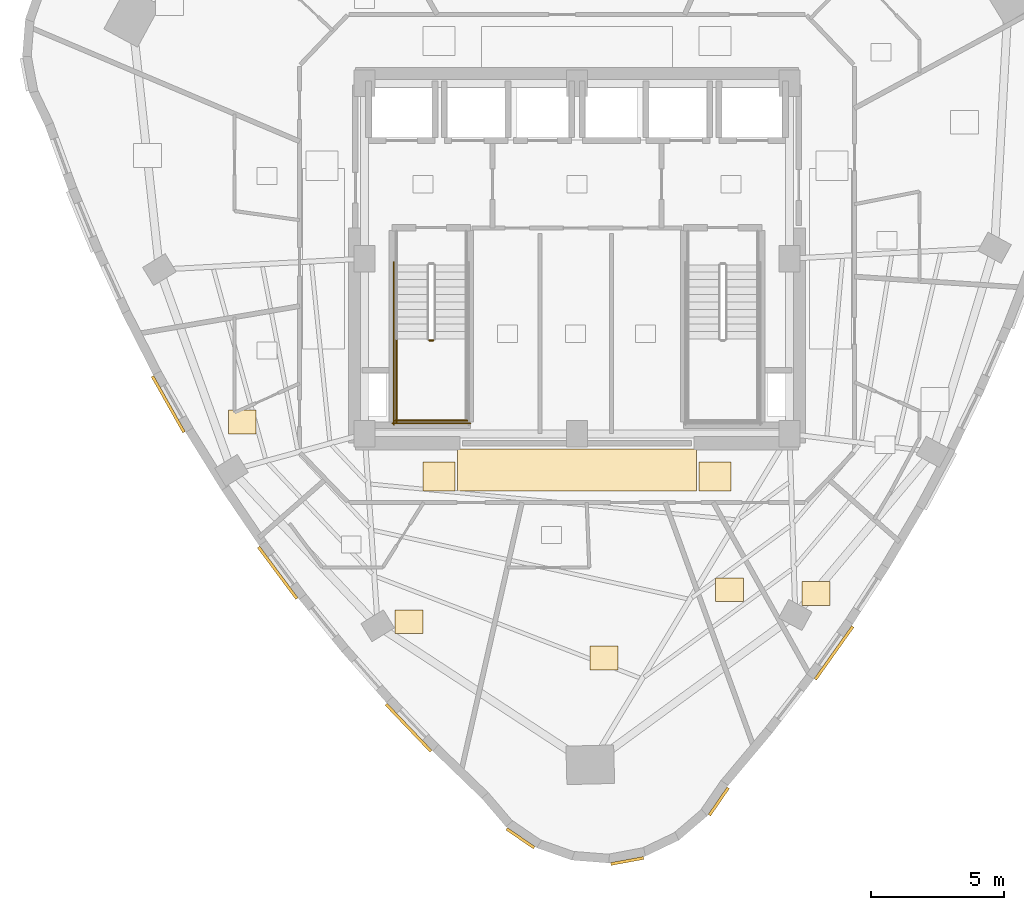
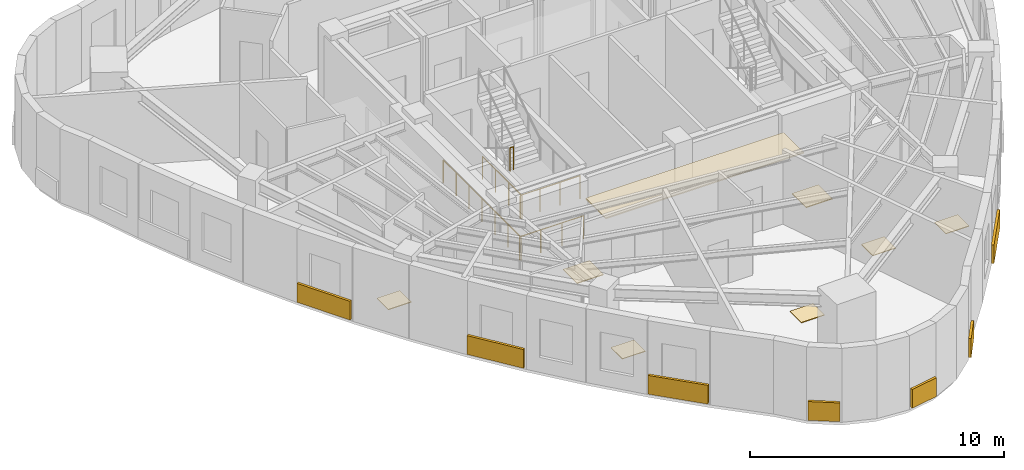
# One storey, part 9 of 11: 15 coverings, 5 railings.
"""IFC4 building model written with IfcOpenShell, lengths in metres."""

from ifc_helpers import new_model, si_unit, direction, frame, origin, origin_2d, place, context, subcontext, project, spatial, rectangle, circle, extrude, material, layer, layer_set, type_object, element, save


model = new_model("IFC4")

# Units and contexts
model_context = context("Model", 3, precision=1e-05, world=origin(), true_north=direction((0.0, 1.0)))
body_context = subcontext(model_context, "Body", "Model", "MODEL_VIEW")
ifc_project = project(units=[si_unit("LENGTHUNIT", "METRE"), si_unit("AREAUNIT", "SQUARE_METRE"), si_unit("VOLUMEUNIT", "CUBIC_METRE"), si_unit("PLANEANGLEUNIT", "RADIAN"), si_unit("MASSUNIT", "GRAM", prefix="KILO")], contexts=[model_context])

# Site, building, storey
site_placement = place(None, origin())
site = spatial("IfcSite", under=ifc_project, at=site_placement, CompositionType="ELEMENT")
building_placement = place(site_placement, origin())
building = spatial("IfcBuilding", under=site, at=building_placement, Name="Ndelora Gate Hotel", CompositionType="ELEMENT")
storey_placement = place(building_placement, frame((0.0, 0.0, 224.550048828125)))
storey = spatial("IfcBuildingStorey", under=building, at=storey_placement, Name="L56", CompositionType="ELEMENT", Elevation=224.550048828125)

# Coverings
ifc_material_1 = material(Name="Perforated Acoustic Gypsum Board", Category="gypsum")
ifc_layer_1 = layer(ifc_material_1, 0.054931640625)
ifc_layer_set_1 = layer_set([ifc_layer_1], Name="Perforated Acoustic Gypsum Board")
covering_type_1 = type_object("IfcCoveringType", Name="COV-CEIL-AC60", PredefinedType="CEILING", material=ifc_layer_set_1)
covering_1_placement = place(storey_placement, frame((0.0, -7.9599609375, 2.65234375), z_axis=(0.0, 0.0, 1.0), x_axis=(1.0, 0.0, 0.0)))
element("IfcCovering", 1, at=covering_1_placement, inside=storey, type_object=covering_type_1, Name="L56 Guest Corridor Acoustic Ceiling S", PredefinedType="CEILING", context=body_context, shape_type="SweptSolid", body=[
    extrude(rectangle(XDim=9.0, YDim=1.580078125, at=origin_2d()), origin(), (0.0, 0.0, 1.0), 0.054931640625),
])
ifc_material_2 = material(Name="Terracotta Fired Clay Brick Slip Cladding", Category="masonry")
ifc_layer_2 = layer(ifc_material_2, 0.110107421875)
ifc_layer_set_2 = layer_set([ifc_layer_2], Name="Terracotta Fired Clay Brick Slip Cladding")
covering_type_2 = type_object("IfcCoveringType", Name="COV-CLAD-BRK", PredefinedType="CLADDING", material=ifc_layer_set_2)
covering_2_placement = place(storey_placement, frame((-15.397705078125, -5.48388671875, 0.10009765625), z_axis=(0.0, 0.0, 1.0), x_axis=(-0.490903753615, 0.87121381112, 0.0)))
element("IfcCovering", 2, at=covering_2_placement, inside=storey, type_object=covering_type_2, Name="L56 Rounded-Corner Brick Cladding Band 13", PredefinedType="CLADDING", context=body_context, shape_type="SweptSolid", body=[
    extrude(rectangle(XDim=2.419921875, YDim=0.110107421875, at=origin_2d()), origin(), (0.0, 0.0, 1.0), 0.89990234375),
])
covering_3_placement = place(storey_placement, frame((-11.2724609375, -11.836181640625, 0.10009765625), z_axis=(0.0, 0.0, 1.0), x_axis=(-0.596224874966, 0.802817475191, 0.0)))
element("IfcCovering", 3, at=covering_3_placement, inside=storey, type_object=covering_type_2, Name="L56 Rounded-Corner Brick Cladding Band 16", PredefinedType="CLADDING", context=body_context, shape_type="SweptSolid", body=[
    extrude(rectangle(XDim=2.4208984375, YDim=0.110107421875, at=origin_2d()), origin(), (0.0, 0.0, 1.0), 0.89990234375),
])
covering_4_placement = place(storey_placement, frame((-6.34814453125, -17.66845703125, 0.10009765625), z_axis=(0.0, 0.0, 1.0), x_axis=(-0.690756218984, 0.723087716626, 0.0)))
element("IfcCovering", 4, at=covering_4_placement, inside=storey, type_object=covering_type_2, Name="L56 Rounded-Corner Brick Cladding Band 19", PredefinedType="CLADDING", context=body_context, shape_type="SweptSolid", body=[
    extrude(rectangle(XDim=2.4599609375, YDim=0.110107421875, at=origin_2d()), origin(), (0.0, 0.0, 1.0), 0.89990234375),
])
for number, where, z_axis, x_axis, name in (
    (5, (-2.131591796875, -21.833251953125, 0.10009765625), (0.0, 0.0, 1.0), (-0.824126188622, 0.566406236925, 0.0), "L56 Rounded-Corner Brick Cladding Band 22"),
    (6, (1.8916015625, -22.6884765625, 0.10009765625), (0.0, 0.0, 1.0), (0.983254907564, 0.182235525492, 0.0), "L56 Rounded-Corner Brick Cladding Band 25"),
):
    element("IfcCovering", number, at=place(storey_placement, frame(where, z_axis=z_axis, x_axis=x_axis)), inside=storey, type_object=covering_type_2, Name=name, PredefinedType="CLADDING", context=body_context, shape_type="SweptSolid", body=[
        extrude(rectangle(XDim=1.257080078125, YDim=0.110107421875, at=origin_2d()), origin(), (0.0, 0.0, 1.0), 0.89990234375),
    ])
covering_5_placement = place(storey_placement, frame((5.341064453125, -20.4482421875, 0.10009765625), z_axis=(0.0, 0.0, 1.0), x_axis=(0.566406236925, 0.824126188622, 0.0)))
element("IfcCovering", 7, at=covering_5_placement, inside=storey, type_object=covering_type_2, Name="L56 Rounded-Corner Brick Cladding Band 28", PredefinedType="CLADDING", context=body_context, shape_type="SweptSolid", body=[
    extrude(rectangle(XDim=1.258056640625, YDim=0.110107421875, at=origin_2d()), origin(), (0.0, 0.0, 1.0), 0.89990234375),
])
covering_6_placement = place(storey_placement, frame((9.68359375, -14.851318359375, 0.10009765625), z_axis=(0.0, 0.0, 1.0), x_axis=(0.578711964667, 0.815532011604, 0.0)))
element("IfcCovering", 8, at=covering_6_placement, inside=storey, type_object=covering_type_2, Name="L56 Rounded-Corner Brick Cladding Band 31", PredefinedType="CLADDING", context=body_context, shape_type="SweptSolid", body=[
    extrude(rectangle(XDim=2.443115234375, YDim=0.110107421875, at=origin_2d()), origin(), (0.0, 0.0, 1.0), 0.89990234375),
])
ifc_material_3 = material(Name="Engineered Highland Oak Parquet", Category="wood")
ifc_layer_3 = layer(ifc_material_3, 0.030029296875)
ifc_layer_set_3 = layer_set([ifc_layer_3], Name="Engineered Highland Oak Parquet")
covering_type_3 = type_object("IfcCoveringType", Name="COV-FLR-PARQ", PredefinedType="FLOORING", material=ifc_layer_set_3)
for number, where, z_axis, x_axis, name in (
    (9, (-12.608154296875, -6.148681640625, 0.0), (0.0, 0.0, 1.0), (1.0, 0.0, 0.0), "L56 Altitude Superior Guest Room 5906 Oak Parquet Flooring"),
    (10, (-6.324462890625, -13.67529296875, 0.0), (0.0, 0.0, 1.0), (1.0, 0.0, 0.0), "L56 Corner Horizon Suite 5907 Oak Parquet Flooring"),
    (11, (1.022216796875, -15.044921875, 0.0), (0.0, 0.0, 1.0), (1.0, 0.0, 0.0), "L56 Altitude Club Junior Suite 5908 Oak Parquet Flooring"),
    (12, (5.7421875, -12.47216796875, 0.0), (0.0, 0.0, 1.0), (1.0, 0.0, 0.0), "L56 Male Public Restroom Oak Parquet Flooring"),
    (13, (8.995361328125, -12.60546875, 0.0), (0.0, 0.0, 1.0), (1.0, 0.0, 0.0), "L56 Housekeeping and Linen Room Oak Parquet Flooring"),
):
    element("IfcCovering", number, at=place(storey_placement, frame(where, z_axis=z_axis, x_axis=x_axis)), inside=storey, type_object=covering_type_3, Name=name, PredefinedType="FLOORING", context=body_context, shape_type="SweptSolid", body=[
        extrude(rectangle(XDim=1.050048828125, YDim=0.89990234375, at=origin_2d()), origin(), (0.0, 0.0, 1.0), 0.030029296875),
    ])
ifc_material_4 = material(Name="Polished Highland Stone Terrazzo", Category="masonry")
ifc_layer_4 = layer(ifc_material_4, 0.034912109375)
ifc_layer_set_4 = layer_set([ifc_layer_4], Name="Polished Highland Stone Terrazzo")
covering_type_4 = type_object("IfcCoveringType", Name="COV-FLR-TERZ", PredefinedType="FLOORING", material=ifc_layer_set_4)
for number, where, z_axis, x_axis, name in (
    (14, (-5.199951171875, -8.199951171875, 0.0), (0.0, 0.0, 1.0), (1.0, 0.0, 0.0), "L56 Corridor Threshold Terrazzo Inlay SW"),
    (15, (5.199951171875, -8.199951171875, 0.0), (0.0, 0.0, 1.0), (1.0, 0.0, 0.0), "L56 Corridor Threshold Terrazzo Inlay SE"),
):
    element("IfcCovering", number, at=place(storey_placement, frame(where, z_axis=z_axis, x_axis=x_axis)), inside=storey, type_object=covering_type_4, Name=name, PredefinedType="FLOORING", context=body_context, shape_type="SweptSolid", body=[
        extrude(rectangle(XDim=1.199951171875, YDim=1.10009765625, at=origin_2d()), origin(), (0.0, 0.0, 1.0), 0.034912109375),
    ])

# Railings
ifc_material_5 = material(Name="Painted Galvanized Steel Balustrade", Category="steel")
ifc_layer_5 = layer(ifc_material_5, 0.06005859375)
ifc_layer_set_5 = layer_set([ifc_layer_5], Name="Painted Galvanized Steel Balustrade")
railing_type = type_object("IfcRailingType", Name="RL-STAIR-GD", PredefinedType="GUARDRAIL", material=ifc_layer_set_5)
railing_1_placement = place(storey_placement, frame((-5.570068359375, -3.080078125, 1.89990234375)))
element("IfcRailing", 16, at=railing_1_placement, inside=storey, type_object=railing_type, Name="L56 ST4 stair guard 2", PredefinedType="GUARDRAIL", context=body_context, shape_type="SweptSolid", body=[
    extrude(circle(Radius=0.02392578125, at=origin_2d()), frame((0.0, 0.0, 1.10595703125), z_axis=(1.0, 0.0, 0.0), x_axis=(0.0, 1.0, 0.0)), (0.0, 0.0, 1.0), 0.16015625),
    extrude(circle(Radius=0.02099609375, at=origin_2d()), origin(), (0.0, 0.0, 1.0), 1.081787109375),
    extrude(circle(Radius=0.02099609375, at=origin_2d()), frame((0.16015625, 0.0, 0.0)), (0.0, 0.0, 1.0), 1.081787109375),
])
railing_2_placement = place(storey_placement, frame((-6.800048828125, -3.030029296875, 1.89990234375)))
element("IfcRailing", 17, at=railing_2_placement, inside=storey, type_object=railing_type, Name="L56 ST4 stair guard 3", PredefinedType="GUARDRAIL", context=body_context, shape_type="SweptSolid", body=[
    extrude(circle(Radius=0.02392578125, at=origin_2d()), frame((0.0, 0.0, 1.10595703125), z_axis=(0.0, -1.0, 0.0), x_axis=(1.0, 0.0, 0.0)), (0.0, 0.0, 1.0), 3.119873046875),
    extrude(circle(Radius=0.02099609375, at=origin_2d()), origin(), (0.0, 0.0, 1.0), 1.081787109375),
    extrude(circle(Radius=0.02099609375, at=origin_2d()), frame((0.0, -1.0400390625, 0.0)), (0.0, 0.0, 1.0), 1.081787109375),
    extrude(circle(Radius=0.02099609375, at=origin_2d()), frame((0.0, -2.079833984375, 0.0)), (0.0, 0.0, 1.0), 1.081787109375),
    extrude(circle(Radius=0.02099609375, at=origin_2d()), frame((0.0, -3.119873046875, 0.0)), (0.0, 0.0, 1.0), 1.081787109375),
])
railing_3_placement = place(storey_placement, frame((-6.85009765625, -6.10009765625, 1.89990234375)))
element("IfcRailing", 18, at=railing_3_placement, inside=storey, type_object=railing_type, Name="L56 ST4 stair guard 5", PredefinedType="GUARDRAIL", context=body_context, shape_type="SweptSolid", body=[
    extrude(circle(Radius=0.02392578125, at=origin_2d()), frame((0.0, 0.0, 1.10595703125), z_axis=(1.0, 0.0, 0.0), x_axis=(0.0, 1.0, 0.0)), (0.0, 0.0, 1.0), 2.72021484375),
    extrude(circle(Radius=0.02099609375, at=origin_2d()), origin(), (0.0, 0.0, 1.0), 1.081787109375),
    extrude(circle(Radius=0.02099609375, at=origin_2d()), frame((0.90673828125, 0.0, 0.0)), (0.0, 0.0, 1.0), 1.081787109375),
    extrude(circle(Radius=0.02099609375, at=origin_2d()), frame((1.8134765625, 0.0, 0.0)), (0.0, 0.0, 1.0), 1.081787109375),
    extrude(circle(Radius=0.02099609375, at=origin_2d()), frame((2.72021484375, 0.0, 0.0)), (0.0, 0.0, 1.0), 1.081787109375),
])
railing_4_placement = place(storey_placement, frame((-6.89990234375, -0.1298828125, 0.0)))
element("IfcRailing", 19, at=railing_4_placement, inside=storey, type_object=railing_type, Name="L56 ST4 stair guard 10", PredefinedType="GUARDRAIL", context=body_context, shape_type="SweptSolid", body=[
    extrude(circle(Radius=0.02392578125, at=origin_2d()), frame((0.0, 0.0, 1.10595703125), z_axis=(0.0, -1.0, 0.0), x_axis=(1.0, 0.0, 0.0)), (0.0, 0.0, 1.0), 6.1201171875),
    extrude(circle(Radius=0.02099609375, at=origin_2d()), origin(), (0.0, 0.0, 1.0), 1.081787109375),
    extrude(circle(Radius=0.02099609375, at=origin_2d()), frame((0.0, -1.02001953125, 0.0)), (0.0, 0.0, 1.0), 1.081787109375),
    extrude(circle(Radius=0.02099609375, at=origin_2d()), frame((0.0, -2.0400390625, 0.0)), (0.0, 0.0, 1.0), 1.081787109375),
    extrude(circle(Radius=0.02099609375, at=origin_2d()), frame((0.0, -3.06005859375, 0.0)), (0.0, 0.0, 1.0), 1.081787109375),
    extrude(circle(Radius=0.02099609375, at=origin_2d()), frame((0.0, -4.080078125, 0.0)), (0.0, 0.0, 1.0), 1.081787109375),
    extrude(circle(Radius=0.02099609375, at=origin_2d()), frame((0.0, -5.10009765625, 0.0)), (0.0, 0.0, 1.0), 1.081787109375),
    extrude(circle(Radius=0.02099609375, at=origin_2d()), frame((0.0, -6.1201171875, 0.0)), (0.0, 0.0, 1.0), 1.081787109375),
])
railing_5_placement = place(storey_placement, frame((-6.949951171875, -6.199951171875, 0.0)))
element("IfcRailing", 20, at=railing_5_placement, inside=storey, type_object=railing_type, Name="L56 ST4 stair guard 12", PredefinedType="GUARDRAIL", context=body_context, shape_type="SweptSolid", body=[
    extrude(circle(Radius=0.02392578125, at=origin_2d()), frame((0.0, 0.0, 1.10595703125), z_axis=(1.0, 0.0, 0.0), x_axis=(0.0, 1.0, 0.0)), (0.0, 0.0, 1.0), 2.919921875),
    extrude(circle(Radius=0.02099609375, at=origin_2d()), origin(), (0.0, 0.0, 1.0), 1.081787109375),
    extrude(circle(Radius=0.02099609375, at=origin_2d()), frame((0.973388671875, 0.0, 0.0)), (0.0, 0.0, 1.0), 1.081787109375),
    extrude(circle(Radius=0.02099609375, at=origin_2d()), frame((1.946533203125, 0.0, 0.0)), (0.0, 0.0, 1.0), 1.081787109375),
    extrude(circle(Radius=0.02099609375, at=origin_2d()), frame((2.919921875, 0.0, 0.0)), (0.0, 0.0, 1.0), 1.081787109375),
])

save(model, "model.ifc")
